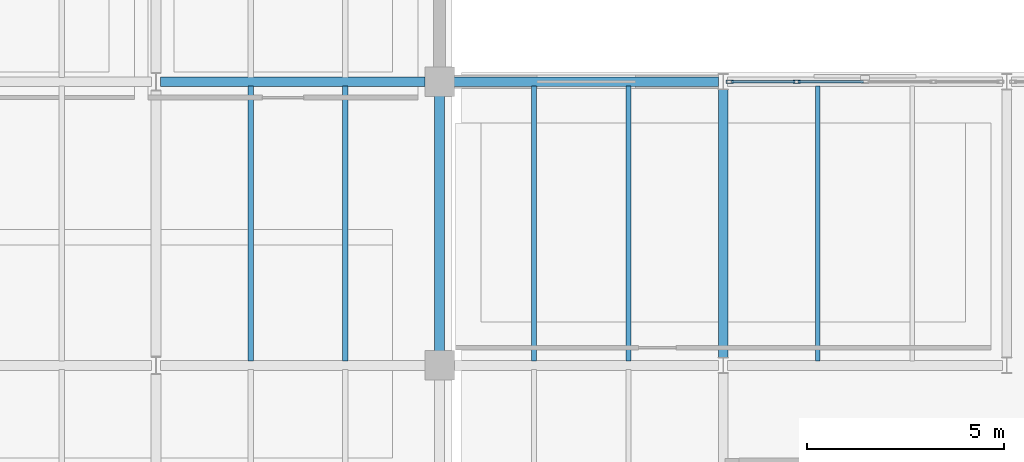
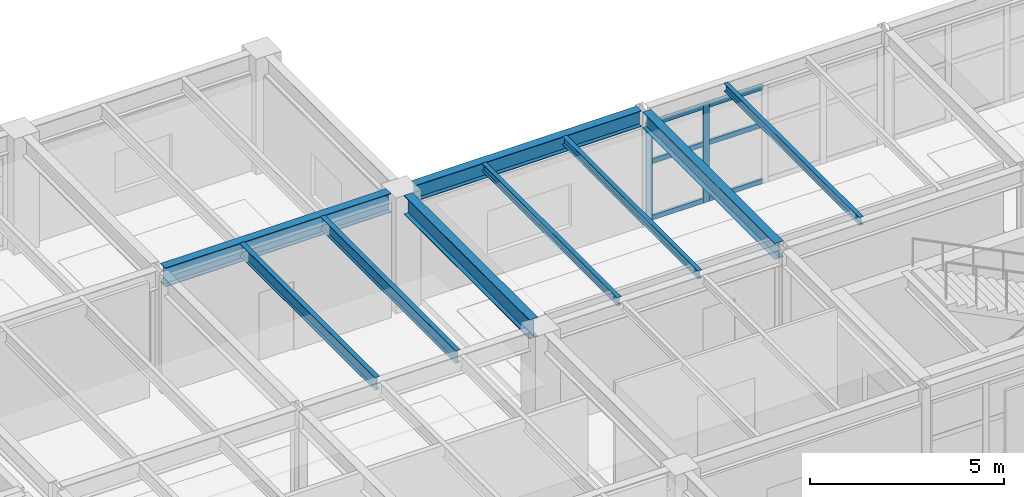
# One storey, part 17 of 48: 9 beams, 8 members, 1 element without a shape of its own.
"""IFC4 building model written with IfcOpenShell, lengths in metres."""

from ifc_helpers import new_model, si_unit, direction, frame, origin, origin_2d, place, context, subcontext, project, spatial, hollow_rectangle, i_section, extrude, material, layer, layer_set, material_profile, profile_set, type_object, element, aggregate, save


model = new_model("IFC4")

# Units and contexts
model_context = context("Model", 3, precision=1e-05, world=origin(), true_north=direction((0.0, 1.0)))
body_context = subcontext(model_context, "Body", "Model", "MODEL_VIEW")
ifc_project = project(units=[si_unit("LENGTHUNIT", "METRE"), si_unit("AREAUNIT", "SQUARE_METRE"), si_unit("VOLUMEUNIT", "CUBIC_METRE"), si_unit("PLANEANGLEUNIT", "RADIAN"), si_unit("MASSUNIT", "GRAM", prefix="KILO")], contexts=[model_context])

# Site, building, storey
site_placement = place(None, origin())
site = spatial("IfcSite", under=ifc_project, at=site_placement, CompositionType="ELEMENT")
building_placement = place(site_placement, origin())
building = spatial("IfcBuilding", under=site, at=building_placement, Name="Kandorven Conservatory and Botanical Research Centre", CompositionType="ELEMENT")
storey_placement = place(building_placement, frame((0.0, 0.0, 13.199951171875)))
storey = spatial("IfcBuildingStorey", under=building, at=storey_placement, Name="L03", CompositionType="ELEMENT", Elevation=13.199951171875)

# Beams
ifc_material_1 = material(Name="Steel S355 (IS 2062 E350)", Category="steel")
ifc_material_profile_1 = material_profile(ifc_material_1, i_section(OverallWidth=0.25, OverallDepth=0.60009765625, WebThickness=0.01171875, FlangeThickness=0.023681640625, at=origin_2d()))
ifc_profile_set_1 = profile_set([ifc_material_profile_1], Name="Steel S355 (IS 2062 E350)")
beam_type_1 = type_object("IfcBeamType", Name="Beam_FG-01", PredefinedType="USERDEFINED", material=ifc_profile_set_1)
beam_1_placement = place(storey_placement, frame((34.9150390625, 27.60009765625, 3.3349609375), z_axis=(1.0, 0.0, 0.0), x_axis=(0.0, 1.0, 0.0)))
element("IfcBeam", 1, at=beam_1_placement, inside=storey, type_object=beam_type_1, Name="Primary girder FG-01 TWR L03", ObjectType="GIRDER", PredefinedType="USERDEFINED", context=body_context, shape_type="SweptSolid", body=[
    extrude(i_section(OverallWidth=0.25, OverallDepth=0.60009765625, WebThickness=0.01171875, FlangeThickness=0.023681640625, at=origin_2d()), origin(), (0.0, 0.0, 1.0), 6.719970703125),
])
beam_2_placement = place(storey_placement, frame((42.0, 20.764892578125, 3.3349609375), z_axis=(0.0, 1.0, 0.0), x_axis=(-1.0, 0.0, 0.0)))
element("IfcBeam", 2, at=beam_2_placement, inside=storey, type_object=beam_type_1, Name="Primary girder FG-01 TWR L03", ObjectType="GIRDER", PredefinedType="USERDEFINED", context=body_context, shape_type="SweptSolid", body=[
    extrude(i_section(OverallWidth=0.25, OverallDepth=0.60009765625, WebThickness=0.01171875, FlangeThickness=0.023681640625, at=origin_2d()), origin(), (0.0, 0.0, 1.0), 6.47021484375),
])
ifc_material_2 = material(Name="Steel S355 (IS 2062 E350)", Category="steel")
ifc_material_profile_2 = material_profile(ifc_material_2, i_section(OverallWidth=0.25, OverallDepth=0.5, WebThickness=0.010009765625, FlangeThickness=0.0146484375, at=origin_2d()))
ifc_profile_set_2 = profile_set([ifc_material_profile_2], Name="Steel S355 (IS 2062 E350)")
beam_type_2 = type_object("IfcBeamType", Name="Beam_FG-02", PredefinedType="USERDEFINED", material=ifc_profile_set_2)
beam_3_placement = place(storey_placement, frame((42.364990234375, 27.60009765625, 3.375), z_axis=(1.0, 0.0, 0.0), x_axis=(0.0, 1.0, 0.0)))
element("IfcBeam", 3, at=beam_3_placement, inside=storey, type_object=beam_type_2, Name="Primary girder FG-02 VIS L03", ObjectType="GIRDER", PredefinedType="USERDEFINED", context=body_context, shape_type="SweptSolid", body=[
    extrude(i_section(OverallWidth=0.25, OverallDepth=0.5, WebThickness=0.010009765625, FlangeThickness=0.0146484375, at=origin_2d()), origin(), (0.0, 0.0, 1.0), 6.719970703125),
])
beam_4_placement = place(storey_placement, frame((49.199951171875, 20.590087890625, 3.375), z_axis=(0.0, 1.0, 0.0), x_axis=(-1.0, 0.0, 0.0)))
element("IfcBeam", 4, at=beam_4_placement, inside=storey, type_object=beam_type_2, Name="Primary girder FG-02 VIS L03", ObjectType="GIRDER", PredefinedType="USERDEFINED", context=body_context, shape_type="SweptSolid", body=[
    extrude(i_section(OverallWidth=0.25, OverallDepth=0.5, WebThickness=0.010009765625, FlangeThickness=0.0146484375, at=origin_2d()), origin(), (0.0, 0.0, 1.0), 6.81982421875),
])
ifc_material_3 = material(Name="Steel S355 (IS 2062 E350)", Category="steel")
ifc_material_profile_3 = material_profile(ifc_material_3, i_section(OverallWidth=0.125, OverallDepth=0.25, WebThickness=0.0068359375, FlangeThickness=0.012451171875, at=origin_2d()))
ifc_profile_set_3 = profile_set([ifc_material_profile_3], Name="Steel S355 (IS 2062 E350)")
beam_type_3 = type_object("IfcBeamType", Name="Beam_RJ-01", PredefinedType="JOIST", material=ifc_profile_set_3)
for number, where, z_axis, x_axis, name in (
    (5, (44.39990234375, 20.510009765625, 3.5), (0.0, 1.0, 0.0), (-1.0, 0.0, 0.0), "Composite secondary beam RJ-01 VIS L03"),
    (6, (46.800048828125, 20.510009765625, 3.5), (0.0, 1.0, 0.0), (-1.0, 0.0, 0.0), "Composite secondary beam RJ-01 VIS L03"),
    (7, (51.60009765625, 20.510009765625, 3.5), (0.0, 1.0, 0.0), (-1.0, 0.0, 0.0), "Composite secondary beam RJ-01 VIS L03"),
):
    element("IfcBeam", number, at=place(storey_placement, frame(where, z_axis=z_axis, x_axis=x_axis)), inside=storey, type_object=beam_type_3, Name=name, PredefinedType="JOIST", context=body_context, shape_type="SweptSolid", body=[
        extrude(i_section(OverallWidth=0.125, OverallDepth=0.25, WebThickness=0.0068359375, FlangeThickness=0.012451171875, at=origin_2d()), origin(), (0.0, 0.0, 1.0), 6.97998046875),
    ])
ifc_material_4 = material(Name="Steel S355 (IS 2062 E350)", Category="steel")
ifc_material_profile_4 = material_profile(ifc_material_4, i_section(OverallWidth=0.139892578125, OverallDepth=0.39990234375, WebThickness=0.0087890625, FlangeThickness=0.01611328125, at=origin_2d()))
ifc_profile_set_4 = profile_set([ifc_material_profile_4], Name="Steel S355 (IS 2062 E350)")
beam_type_4 = type_object("IfcBeamType", Name="Beam_SB-05", PredefinedType="BEAM", material=ifc_profile_set_4)
for number, where, z_axis, x_axis, name in (
    (8, (37.199951171875, 20.510009765625, 3.43505859375), (0.0, 1.0, 0.0), (-1.0, 0.0, 0.0), "Composite secondary beam SB-05 TWR L03"),
    (9, (39.60009765625, 20.510009765625, 3.43505859375), (0.0, 1.0, 0.0), (-1.0, 0.0, 0.0), "Composite secondary beam SB-05 TWR L03"),
):
    element("IfcBeam", number, at=place(storey_placement, frame(where, z_axis=z_axis, x_axis=x_axis)), inside=storey, type_object=beam_type_4, Name=name, PredefinedType="BEAM", context=body_context, shape_type="SweptSolid", body=[
        extrude(i_section(OverallWidth=0.139892578125, OverallDepth=0.39990234375, WebThickness=0.0087890625, FlangeThickness=0.01611328125, at=origin_2d()), origin(), (0.0, 0.0, 1.0), 6.97998046875),
    ])

# Curtain wall, members
ifc_material_5 = material(Name="Bronze anodised thermally broken aluminium", Category="aluminium")
ifc_layer = layer(ifc_material_5, 0.179931640625)
ifc_layer_set = layer_set([ifc_layer], Name="Bronze anodised thermally broken aluminium")
curtain_wall_type = type_object("IfcCurtainWallType", Name="CW_Unitised", PredefinedType="USERDEFINED", material=ifc_layer_set)
curtain_wall_placement = place(storey_placement, origin())
curtain_wall = element("IfcCurtainWall", 10, at=curtain_wall_placement, inside=storey, type_object=curtain_wall_type, Name="Visitor wing unitised curtain wall CW-VIS-N-L03-2", ObjectType="UNITISED GLAZING", PredefinedType="USERDEFINED")
ifc_material_6 = material(Name="Bronze anodised thermally broken aluminium", Category="aluminium")
ifc_material_profile_5 = material_profile(ifc_material_6, hollow_rectangle(XDim=0.080078125, YDim=0.179931640625, WallThickness=0.006103515625, at=origin_2d()))
ifc_profile_set_5 = profile_set([ifc_material_profile_5], Name="Bronze anodised thermally broken aluminium")
member_type_1 = type_object("IfcMemberType", Name="CW_Mullion", PredefinedType="MULLION", material=ifc_profile_set_5)
member_1_placement = place(storey_placement, frame((49.364990234375, 27.60009765625, 0.0), z_axis=(0.0, 0.0, 1.0), x_axis=(0.0, 1.0, 0.0)))
member_1 = element("IfcMember", 11, at=member_1_placement, type_object=member_type_1, Name="CW-01 mullion 1", PredefinedType="MULLION", context=body_context, shape_type="SweptSolid", body=[
    extrude(hollow_rectangle(XDim=0.080078125, YDim=0.179931640625, WallThickness=0.006103515625, at=origin_2d()), origin(), (0.0, 0.0, 1.0), 3.10009765625),
])
member_2_placement = place(storey_placement, frame((51.0625, 27.60009765625, 0.0), z_axis=(0.0, 0.0, 1.0), x_axis=(0.0, 1.0, 0.0)))
member_2 = element("IfcMember", 12, at=member_2_placement, type_object=member_type_1, Name="CW-01 mullion 2", PredefinedType="MULLION", context=body_context, shape_type="SweptSolid", body=[
    extrude(hollow_rectangle(XDim=0.080078125, YDim=0.179931640625, WallThickness=0.006103515625, at=origin_2d()), origin(), (0.0, 0.0, 1.0), 3.10009765625),
])
ifc_material_7 = material(Name="Bronze anodised thermally broken aluminium", Category="aluminium")
ifc_material_profile_6 = material_profile(ifc_material_7, hollow_rectangle(XDim=0.074951171875, YDim=0.14990234375, WallThickness=0.006103515625, at=origin_2d()))
ifc_profile_set_6 = profile_set([ifc_material_profile_6], Name="Bronze anodised thermally broken aluminium")
member_type_2 = type_object("IfcMemberType", Name="CW_Transom", PredefinedType="USERDEFINED", material=ifc_profile_set_6)
member_3_placement = place(storey_placement, frame((49.405029296875, 27.60009765625, 0.074951171875), z_axis=(1.0, 0.0, 0.0), x_axis=(0.0, 1.0, 0.0)))
member_3 = element("IfcMember", 13, at=member_3_placement, type_object=member_type_2, Name="CW-01 transom 1.1", ObjectType="TRANSOM", PredefinedType="USERDEFINED", context=body_context, shape_type="SweptSolid", body=[
    extrude(hollow_rectangle(XDim=0.074951171875, YDim=0.14990234375, WallThickness=0.006103515625, at=origin_2d()), origin(), (0.0, 0.0, 1.0), 1.617431640625),
])
member_4_placement = place(storey_placement, frame((49.405029296875, 27.60009765625, 1.85009765625), z_axis=(1.0, 0.0, 0.0), x_axis=(0.0, 1.0, 0.0)))
member_4 = element("IfcMember", 14, at=member_4_placement, type_object=member_type_2, Name="CW-01 transom 1.2", ObjectType="TRANSOM", PredefinedType="USERDEFINED", context=body_context, shape_type="SweptSolid", body=[
    extrude(hollow_rectangle(XDim=0.074951171875, YDim=0.14990234375, WallThickness=0.006103515625, at=origin_2d()), origin(), (0.0, 0.0, 1.0), 1.617431640625),
])
member_5_placement = place(storey_placement, frame((49.405029296875, 27.60009765625, 3.025146484375), z_axis=(1.0, 0.0, 0.0), x_axis=(0.0, 1.0, 0.0)))
member_5 = element("IfcMember", 15, at=member_5_placement, type_object=member_type_2, Name="CW-01 transom 1.3", ObjectType="TRANSOM", PredefinedType="USERDEFINED", context=body_context, shape_type="SweptSolid", body=[
    extrude(hollow_rectangle(XDim=0.074951171875, YDim=0.14990234375, WallThickness=0.006103515625, at=origin_2d()), origin(), (0.0, 0.0, 1.0), 1.617431640625),
])
member_6_placement = place(storey_placement, frame((51.1025390625, 27.60009765625, 0.074951171875), z_axis=(1.0, 0.0, 0.0), x_axis=(0.0, 1.0, 0.0)))
member_6 = element("IfcMember", 16, at=member_6_placement, type_object=member_type_2, Name="CW-01 transom 2.1", ObjectType="TRANSOM", PredefinedType="USERDEFINED", context=body_context, shape_type="SweptSolid", body=[
    extrude(hollow_rectangle(XDim=0.074951171875, YDim=0.14990234375, WallThickness=0.006103515625, at=origin_2d()), origin(), (0.0, 0.0, 1.0), 1.657470703125),
])
member_7_placement = place(storey_placement, frame((51.1025390625, 27.60009765625, 1.85009765625), z_axis=(1.0, 0.0, 0.0), x_axis=(0.0, 1.0, 0.0)))
member_7 = element("IfcMember", 17, at=member_7_placement, type_object=member_type_2, Name="CW-01 transom 2.2", ObjectType="TRANSOM", PredefinedType="USERDEFINED", context=body_context, shape_type="SweptSolid", body=[
    extrude(hollow_rectangle(XDim=0.074951171875, YDim=0.14990234375, WallThickness=0.006103515625, at=origin_2d()), origin(), (0.0, 0.0, 1.0), 1.657470703125),
])
member_8_placement = place(storey_placement, frame((51.1025390625, 27.60009765625, 3.025146484375), z_axis=(1.0, 0.0, 0.0), x_axis=(0.0, 1.0, 0.0)))
member_8 = element("IfcMember", 18, at=member_8_placement, type_object=member_type_2, Name="CW-01 transom 2.3", ObjectType="TRANSOM", PredefinedType="USERDEFINED", context=body_context, shape_type="SweptSolid", body=[
    extrude(hollow_rectangle(XDim=0.074951171875, YDim=0.14990234375, WallThickness=0.006103515625, at=origin_2d()), origin(), (0.0, 0.0, 1.0), 1.657470703125),
])
aggregate(curtain_wall, [member_1, member_2, member_3, member_4, member_5, member_6, member_7, member_8])

save(model, "model.ifc")
